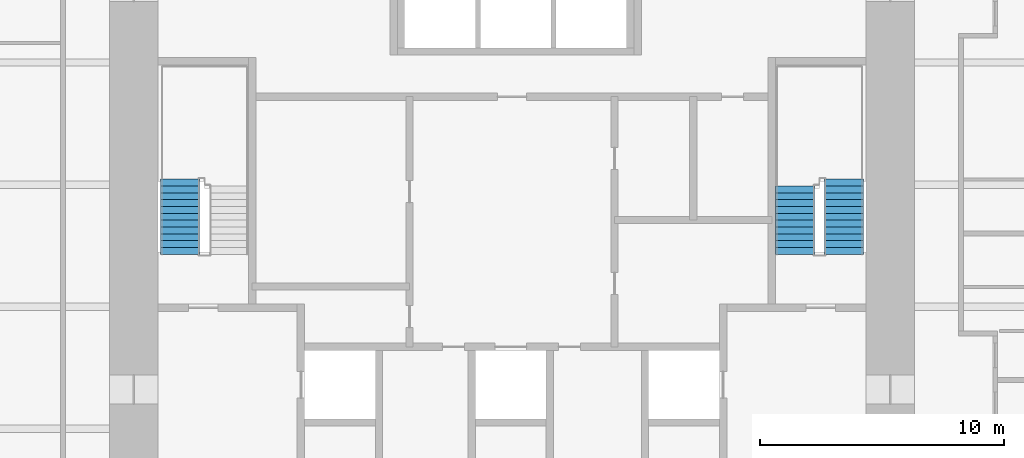
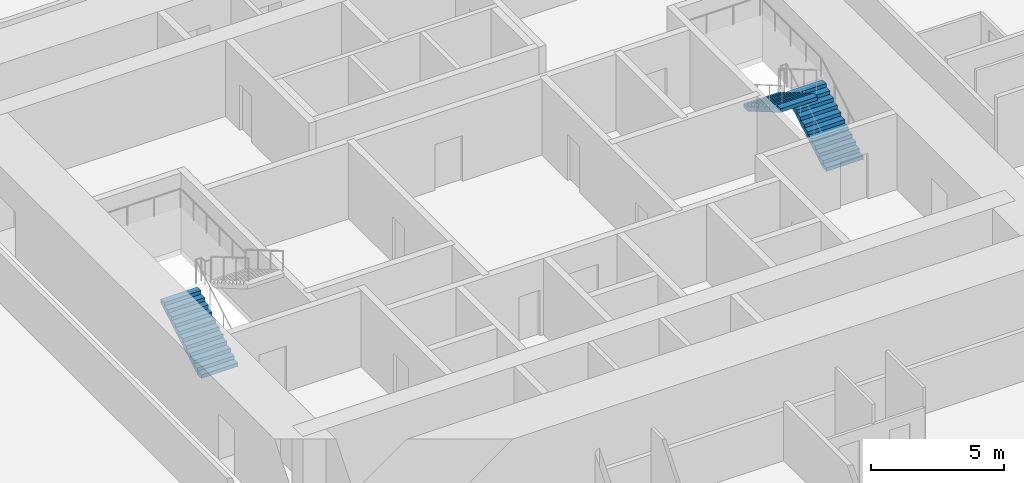
# One storey, part 16 of 17: 3 stair flights, 2 elements without a shape of their own.
"""IFC4 building model written with IfcOpenShell, lengths in metres."""

from ifc_helpers import new_model, si_unit, direction, frame, origin, place, context, subcontext, project, spatial, polyline, outline, extrude, material, type_object, element, aggregate, save


model = new_model("IFC4")

# Units and contexts
model_context = context("Model", 3, precision=1e-05, world=origin(), true_north=direction((0.0, 1.0)))
body_context = subcontext(model_context, "Body", "Model", "MODEL_VIEW")
ifc_project = project(units=[si_unit("LENGTHUNIT", "METRE"), si_unit("AREAUNIT", "SQUARE_METRE"), si_unit("VOLUMEUNIT", "CUBIC_METRE"), si_unit("PLANEANGLEUNIT", "RADIAN"), si_unit("MASSUNIT", "GRAM", prefix="KILO")], contexts=[model_context])

# Site, building, storey
site_placement = place(None, origin())
site = spatial("IfcSite", under=ifc_project, at=site_placement, CompositionType="ELEMENT")
building_placement = place(site_placement, origin())
building = spatial("IfcBuilding", under=site, at=building_placement, Name="Khuree Lantern Residences", CompositionType="ELEMENT")
storey_placement = place(building_placement, frame((0.0, 0.0, 77.25)))
storey = spatial("IfcBuildingStorey", under=building, at=storey_placement, Name="L19", CompositionType="ELEMENT", Elevation=77.25)

# Stair, stair flight
ifc_material = material(Name="Concrete C40/50", Category="concrete")
stair_type = type_object("IfcStairType", Name="STAIR ST1 HALF TURN 3600", PredefinedType="HALF_TURN_STAIR", material=ifc_material)
stair_1_placement = place(storey_placement, origin())
stair_1 = element("IfcStair", 1, at=stair_1_placement, inside=storey, type_object=stair_type, Name="Stair ST1", PredefinedType="HALF_TURN_STAIR")
stair_flight_type = type_object("IfcStairFlightType", Name="STAIR FLIGHT SF1 1600", PredefinedType="STRAIGHT", material=ifc_material)
stair_flight_1_placement = place(storey_placement, frame((-13.60009765625, -2.860107421875, 0.0), z_axis=(0.0, 0.0, 1.0), x_axis=(0.0, 1.0, 0.0)))
stair_flight_1 = element("IfcStairFlight", 2, at=stair_flight_1_placement, type_object=stair_flight_type, Name="ST1 flight 1", NumberOfRisers=12, NumberOfTreads=11, PredefinedType="STRAIGHT", RiserHeight=0.163043478, TreadLength=0.28, context=body_context, shape_type="SweptSolid", body=[
    extrude(outline(polyline([(0.0, 0.0), (0.0, 0.1630859375), (0.280029296875, 0.1630859375), (0.280029296875, 0.326171875), (0.56005859375, 0.326171875), (0.56005859375, 0.489013671875), (0.840087890625, 0.489013671875), (0.840087890625, 0.652099609375), (1.1201171875, 0.652099609375), (1.1201171875, 0.815185546875), (1.39990234375, 0.815185546875), (1.39990234375, 0.978271484375), (1.679931640625, 0.978271484375), (1.679931640625, 1.141357421875), (1.9599609375, 1.141357421875), (1.9599609375, 1.304443359375), (2.239990234375, 1.304443359375), (2.239990234375, 1.46728515625), (2.52001953125, 1.46728515625), (2.52001953125, 1.63037109375), (2.800048828125, 1.63037109375), (2.800048828125, 1.79345703125), (3.080078125, 1.79345703125), (3.080078125, 1.95654296875), (3.080078125, 1.6201171875), (0.2978515625, 0.0), (0.0, 0.0)])), frame((0.0, 0.800048828125, 0.0), z_axis=(0.0, -1.0, 0.0), x_axis=(1.0, 0.0, 0.0)), (0.0, 0.0, 1.0), 1.60009765625),
])
aggregate(stair_1, [stair_flight_1])

# Stair, stair flights
stair_2_placement = place(storey_placement, origin())
stair_2 = element("IfcStair", 3, at=stair_2_placement, inside=storey, type_object=stair_type, Name="Stair ST2", PredefinedType="HALF_TURN_STAIR")
stair_flight_2_placement = place(storey_placement, frame((13.60009765625, -2.860107421875, 0.0), z_axis=(0.0, 0.0, 1.0), x_axis=(0.0, 1.0, 0.0)))
stair_flight_2 = element("IfcStairFlight", 4, at=stair_flight_2_placement, type_object=stair_flight_type, Name="ST2 flight 1", NumberOfRisers=12, NumberOfTreads=11, PredefinedType="STRAIGHT", RiserHeight=0.163043478, TreadLength=0.28, context=body_context, shape_type="SweptSolid", body=[
    extrude(outline(polyline([(0.0, 0.0), (0.0, 0.1630859375), (0.280029296875, 0.1630859375), (0.280029296875, 0.326171875), (0.56005859375, 0.326171875), (0.56005859375, 0.489013671875), (0.840087890625, 0.489013671875), (0.840087890625, 0.652099609375), (1.1201171875, 0.652099609375), (1.1201171875, 0.815185546875), (1.39990234375, 0.815185546875), (1.39990234375, 0.978271484375), (1.679931640625, 0.978271484375), (1.679931640625, 1.141357421875), (1.9599609375, 1.141357421875), (1.9599609375, 1.304443359375), (2.239990234375, 1.304443359375), (2.239990234375, 1.46728515625), (2.52001953125, 1.46728515625), (2.52001953125, 1.63037109375), (2.800048828125, 1.63037109375), (2.800048828125, 1.79345703125), (3.080078125, 1.79345703125), (3.080078125, 1.95654296875), (3.080078125, 1.6201171875), (0.2978515625, 0.0), (0.0, 0.0)])), frame((0.0, 0.800048828125, 0.0), z_axis=(0.0, -1.0, 0.0), x_axis=(1.0, 0.0, 0.0)), (0.0, 0.0, 1.0), 1.60009765625),
])
stair_flight_3_placement = place(storey_placement, frame((11.60009765625, -0.06005859375, 1.95654296875), z_axis=(0.0, 0.0, 1.0), x_axis=(0.0, -1.0, 0.0)))
stair_flight_3 = element("IfcStairFlight", 5, at=stair_flight_3_placement, type_object=stair_flight_type, Name="ST2 flight 2", NumberOfRisers=11, NumberOfTreads=10, PredefinedType="STRAIGHT", RiserHeight=0.163043478, TreadLength=0.28, context=body_context, shape_type="SweptSolid", body=[
    extrude(outline(polyline([(0.0, 0.0), (0.0, 0.1630859375), (0.280029296875, 0.1630859375), (0.280029296875, 0.326171875), (0.56005859375, 0.326171875), (0.56005859375, 0.489013671875), (0.840087890625, 0.489013671875), (0.840087890625, 0.652099609375), (1.1201171875, 0.652099609375), (1.1201171875, 0.815185546875), (1.39990234375, 0.815185546875), (1.39990234375, 0.978271484375), (1.679931640625, 0.978271484375), (1.679931640625, 1.141357421875), (1.9599609375, 1.141357421875), (1.9599609375, 1.304443359375), (2.239990234375, 1.304443359375), (2.239990234375, 1.46728515625), (2.52001953125, 1.46728515625), (2.52001953125, 1.63037109375), (2.800048828125, 1.63037109375), (2.800048828125, 1.79345703125), (2.800048828125, 1.45703125), (0.2978515625, 0.0), (0.0, 0.0)])), frame((0.0, 0.800048828125, 0.0), z_axis=(0.0, -1.0, 0.0), x_axis=(1.0, 0.0, 0.0)), (0.0, 0.0, 1.0), 1.60009765625),
])
aggregate(stair_2, [stair_flight_2, stair_flight_3])

save(model, "model.ifc")
